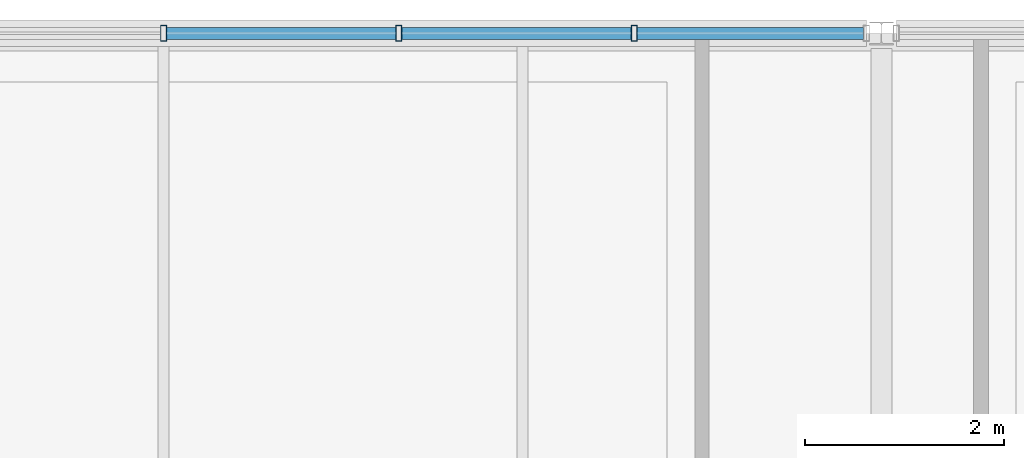
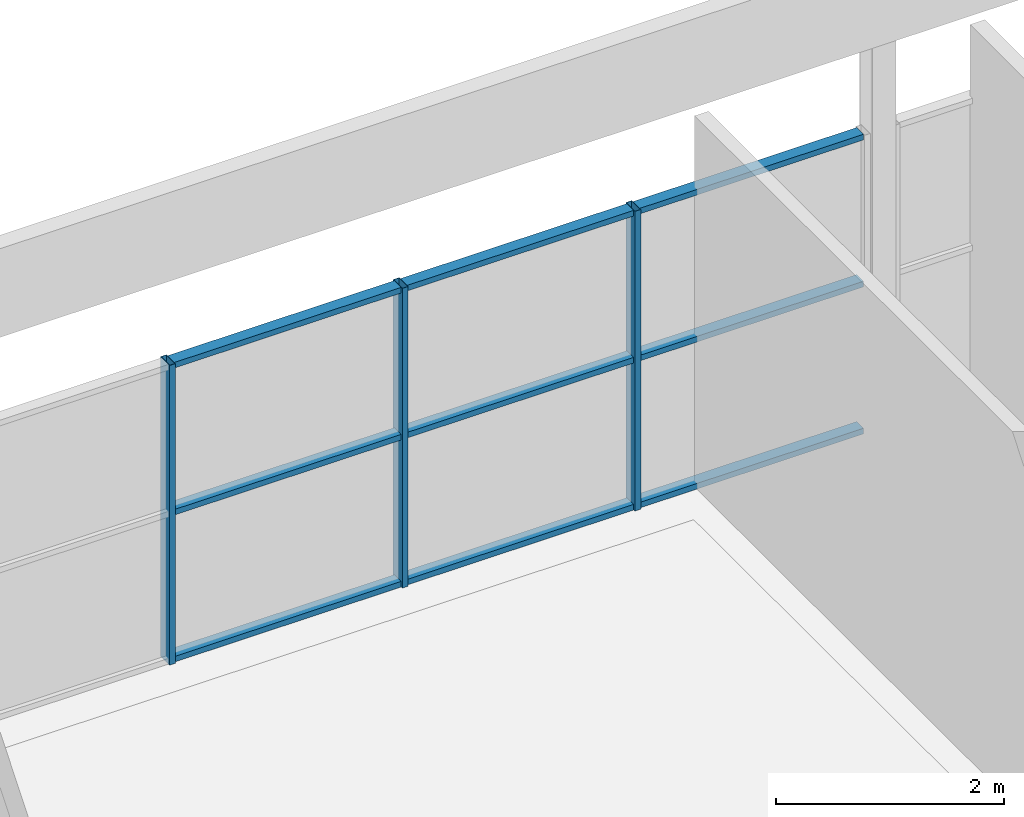
# One storey, part 23 of 43: 12 members, 1 element without a shape of its own.
"""IFC4 building model written with IfcOpenShell, lengths in metres."""

import ifcopenshell
import ifcopenshell.guid

model = None  # the IFC model being written
_history = None  # IfcOwnerHistory: only IFC2X3 demands one
_inside = {}  # id of a spatial element -> (the spatial element, [elements in it])
_under = {}  # id of a project, library or spatial element -> (it, [spatial elements below it])
_declared = {}  # id of a project -> (the project, [libraries it declares])
_typed = {}  # id of a type object -> (the type object, [elements of that type])
_made_of = {}  # id of a material, layer set ... -> (it, [elements and type objects made of it])


def new_model(schema):
    """Start an empty IFC model of exactly this schema.

    Asked for "IFC4X3", IfcOpenShell would pick the latest addendum, in which some entities
    have other attributes; the version numbers below select the first issue.
    IFC2X3 requires an IfcOwnerHistory on every rooted entity: one is made here for all.
    """
    global model, _history
    if schema == "IFC4X3":
        model = ifcopenshell.file(schema_version=(4, 3, 0, 0))
    else:
        model = ifcopenshell.file(schema=schema)
    _inside.clear()
    _under.clear()
    _declared.clear()
    _typed.clear()
    _made_of.clear()
    _history = None
    if model.schema == "IFC2X3":
        org = make("IfcOrganization", Name="unknown")
        user = make(
            "IfcPersonAndOrganization",
            ThePerson=make("IfcPerson", FamilyName="unknown"),
            TheOrganization=org,
        )
        app = make(
            "IfcApplication",
            ApplicationDeveloper=org,
            Version="unknown",
            ApplicationFullName="unknown",
            ApplicationIdentifier="unknown",
        )
        _history = make(
            "IfcOwnerHistory",
            OwningUser=user,
            OwningApplication=app,
            ChangeAction="ADDED",
            CreationDate=0,
        )
    return model


def make(cls, **values):
    """One entity of the class cls with the attributes given. An attribute that is None is left unset."""
    return model.create_entity(
        cls, **{name: value for name, value in values.items() if value is not None}
    )


def rooted(cls, **values):
    """An entity with a GlobalId (a new one), such as an element, a storey or a relation."""
    return make(cls, GlobalId=ifcopenshell.guid.new(), OwnerHistory=_history, **values)


def si_unit(unit_type, name, prefix=None):
    """IfcSIUnit, for example si_unit("LENGTHUNIT", "METRE", prefix="MILLI")."""
    return make("IfcSIUnit", UnitType=unit_type, Prefix=prefix, Name=name)


def assignment(units):
    """IfcUnitAssignment: the units of a project."""
    return None if units is None else make("IfcUnitAssignment", Units=units)


def point(xyz):
    """IfcCartesianPoint."""
    return None if xyz is None else make("IfcCartesianPoint", Coordinates=xyz)


def direction(xyz):
    """IfcDirection."""
    return None if xyz is None else make("IfcDirection", DirectionRatios=xyz)


def frame(location, z_axis=None, x_axis=None):
    """IfcAxis2Placement3D, a coordinate frame: its origin and axes. An axis left out is left unset."""
    return make(
        "IfcAxis2Placement3D",
        Location=point(location),
        Axis=direction(z_axis),
        RefDirection=direction(x_axis),
    )


def frame_2d(location, x_axis=None):
    """IfcAxis2Placement2D, a coordinate frame in the plane: its origin and x axis."""
    return make(
        "IfcAxis2Placement2D", Location=point(location), RefDirection=direction(x_axis)
    )


def origin():
    """The frame at (0, 0, 0) with its axes left unset."""
    return frame((0.0, 0.0, 0.0))


def origin_2d():
    """The frame at (0, 0) in the plane with its x axis left unset."""
    return frame_2d((0.0, 0.0))


def place(relative_to, where):
    """IfcLocalPlacement: puts the frame where relative to a parent placement (None: the world)."""
    return make(
        "IfcLocalPlacement", PlacementRelTo=relative_to, RelativePlacement=where
    )


def context(
    kind, dimensions, precision=None, world=None, true_north=None, identifier=None
):
    """IfcGeometricRepresentationContext, for example the 3D "Model" context."""
    return make(
        "IfcGeometricRepresentationContext",
        ContextIdentifier=identifier,
        ContextType=kind,
        CoordinateSpaceDimension=dimensions,
        Precision=precision,
        WorldCoordinateSystem=world,
        TrueNorth=true_north,
    )


def subcontext(parent, identifier, kind, view, scale=None):
    """IfcGeometricRepresentationSubContext, for example "Body" below "Model"."""
    return make(
        "IfcGeometricRepresentationSubContext",
        ContextIdentifier=identifier,
        ContextType=kind,
        ParentContext=parent,
        TargetScale=scale,
        TargetView=view,
    )


def project(units=None, contexts=None):
    """IfcProject with its units and contexts."""
    return rooted(
        "IfcProject",
        Name="project",
        RepresentationContexts=contexts,
        UnitsInContext=assignment(units),
    )


def spatial(cls, under=None, at=None, **own):
    """A site, building, storey or space (cls), placed at a placement, below another one or the project."""
    s = rooted(cls, ObjectPlacement=at, **own)
    if under is not None:
        _under.setdefault(under.id(), (under, []))[1].append(s)
    return s


def profile(cls, at=None, kind="AREA", **sizes):
    """A parametric profile (cls). Its sizes go by their IFC names, for example OverallWidth=200.0."""
    return make(cls, ProfileType=kind, Position=at, **sizes)


def hollow_rectangle(**sizes):
    """IfcRectangleHollowProfileDef."""
    return profile("IfcRectangleHollowProfileDef", **sizes)


def extrude(swept, where, along, depth):
    """IfcExtrudedAreaSolid: the profile swept, set in the frame where, extruded along a direction by depth."""
    return make(
        "IfcExtrudedAreaSolid",
        SweptArea=swept,
        Position=where,
        ExtrudedDirection=direction(along),
        Depth=depth,
    )


def shape(context_of_items, identifier, shape_type, items):
    """IfcShapeRepresentation: the items that make up one representation, for example the "Body"."""
    return make(
        "IfcShapeRepresentation",
        ContextOfItems=context_of_items,
        RepresentationIdentifier=identifier,
        RepresentationType=shape_type,
        Items=items,
    )


def material(Name=None, Category=None):
    """IfcMaterial."""
    return make("IfcMaterial", Name=Name, Category=Category)


def material_profile(
    of_material, cross_section, Name=None, Category=None, Priority=None
):
    """IfcMaterialProfile: a cross section and its material."""
    return make(
        "IfcMaterialProfile",
        Name=Name,
        Material=of_material,
        Profile=cross_section,
        Priority=Priority,
        Category=Category,
    )


def profile_set(profiles, Name=None, composite=None):
    """IfcMaterialProfileSet."""
    return make(
        "IfcMaterialProfileSet",
        Name=Name,
        MaterialProfiles=profiles,
        CompositeProfile=composite,
    )


def made_of(thing, what):
    """Note that an element or type object is made of a material, layer set ...; save() writes the relation."""
    if what is not None:
        _made_of.setdefault(what.id(), (what, []))[1].append(thing)
    return thing


def type_object(cls, material=None, **own):
    """A type object (cls), such as IfcWallType, which elements share."""
    return made_of(rooted(cls, **own), material)


def element(
    cls,
    number,
    at=None,
    inside=None,
    cuts=None,
    type_object=None,
    material=None,
    context=None,
    identifier="Body",
    shape_type=None,
    held_by="IfcProductDefinitionShape",
    body=None,
    shapes=None,
    **own,
):
    """One element of the class cls, such as IfcWall. Its Tag is "e" and its number.

    at: its placement. inside: the storey or other place that contains it. cuts: it is an
    opening in that element (IfcRelVoidsElement). A single representation is given by context,
    identifier, shape_type and body (its items); several are given by shapes. held_by: the class
    of the entity that holds the representations. save() writes the other relations.
    """
    e = rooted(cls, Tag="e%d" % number, ObjectPlacement=at, **own)
    if body is not None:
        shapes = [shape(context, identifier, shape_type, body)]
    if shapes is not None:
        e.Representation = make(held_by, Representations=shapes)
    if inside is not None:
        _inside.setdefault(inside.id(), (inside, []))[1].append(e)
    if cuts is not None:
        rooted(
            "IfcRelVoidsElement", RelatingBuildingElement=cuts, RelatedOpeningElement=e
        )
    if type_object is not None:
        _typed.setdefault(type_object.id(), (type_object, []))[1].append(e)
    return made_of(e, material)


def aggregate(whole, parts):
    """IfcRelAggregates: a whole, such as a stair, and the parts it consists of."""
    return rooted("IfcRelAggregates", RelatingObject=whole, RelatedObjects=parts)


def save(model, path):
    """Write the relations noted so far, then the file.

    IfcRelAggregates (storeys below a building ...), IfcRelContainedInSpatialStructure (elements
    in a storey), IfcRelDefinesByType, IfcRelAssociatesMaterial and IfcRelDeclares: one each for
    every whole, place, type object, material and project.
    """
    for whole, parts in _under.values():
        aggregate(whole, parts)
    for where, things in _inside.values():
        rooted(
            "IfcRelContainedInSpatialStructure",
            RelatedElements=things,
            RelatingStructure=where,
        )
    for kind, things in _typed.values():
        rooted("IfcRelDefinesByType", RelatedObjects=things, RelatingType=kind)
    for what, things in _made_of.values():
        rooted("IfcRelAssociatesMaterial", RelatedObjects=things, RelatingMaterial=what)
    for by, libraries in _declared.values():
        rooted("IfcRelDeclares", RelatingContext=by, RelatedDefinitions=libraries)
    model.write(path)


model = new_model("IFC4")

# Units and contexts
model_context = context("Model", 3, precision=1e-05, world=origin(), true_north=direction((0.0, 1.0)))
body_context = subcontext(model_context, "Body", "Model", "MODEL_VIEW")
ifc_project = project(units=[si_unit("LENGTHUNIT", "METRE"), si_unit("AREAUNIT", "SQUARE_METRE"), si_unit("VOLUMEUNIT", "CUBIC_METRE"), si_unit("PLANEANGLEUNIT", "RADIAN"), si_unit("MASSUNIT", "GRAM", prefix="KILO"), si_unit("THERMODYNAMICTEMPERATUREUNIT", "KELVIN")], contexts=[model_context])

# Site, building, storey
site_placement = place(None, origin())
site = spatial("IfcSite", under=ifc_project, at=site_placement, CompositionType="ELEMENT")
building_placement = place(site_placement, origin())
building = spatial("IfcBuilding", under=site, at=building_placement, Name="Nduvali Passage Aquatics Centre", CompositionType="ELEMENT")
storey_placement = place(building_placement, frame((0.0, 0.0, 17.39990234375)))
storey = spatial("IfcBuildingStorey", under=building, at=storey_placement, Name="L04", CompositionType="ELEMENT", Elevation=17.39990234375)

# Curtain wall, members
ifc_material = material(Name="Aluminium EN AW-6063 T6", Category="aluminium")
curtain_wall_type = type_object("IfcCurtainWallType", Name="ENV-CW-WELL", PredefinedType="NOTDEFINED", material=ifc_material)
curtain_wall_placement = place(storey_placement, origin())
curtain_wall = element("IfcCurtainWall", 1, at=curtain_wall_placement, inside=storey, type_object=curtain_wall_type, Name="L04 North Avenue Recovery Lounge CW 111", PredefinedType="NOTDEFINED")
ifc_material_profile_1 = material_profile(ifc_material, hollow_rectangle(XDim=0.06005859375, YDim=0.159912109375, WallThickness=0.00390625, at=origin_2d()), Name="ALU MULLION 60x160x4")
ifc_profile_set_1 = profile_set([ifc_material_profile_1], Name="Aluminium EN AW-6063 T6")
member_type_1 = type_object("IfcMemberType", Name="ENV-MEM-MUL60", PredefinedType="MULLION", material=ifc_profile_set_1)
member_1_placement = place(storey_placement, frame((90.0, 117.60009765625, 0.0), z_axis=(0.0, 0.0, 1.0), x_axis=(1.0, 0.0, 0.0)))
member_1 = element("IfcMember", 2, at=member_1_placement, type_object=member_type_1, Name="North Avenue Recovery Lounge CW Mullion 4", PredefinedType="MULLION", context=body_context, shape_type="SweptSolid", body=[
    extrude(hollow_rectangle(XDim=0.06005859375, YDim=0.159912109375, WallThickness=0.00390625, at=origin_2d()), origin(), (0.0, 0.0, 1.0), 3.2138671875),
])
member_2_placement = place(storey_placement, frame((92.360107421875, 117.60009765625, 0.0), z_axis=(0.0, 0.0, 1.0), x_axis=(1.0, 0.0, 0.0)))
member_2 = element("IfcMember", 3, at=member_2_placement, type_object=member_type_1, Name="North Avenue Recovery Lounge CW Mullion 5", PredefinedType="MULLION", context=body_context, shape_type="SweptSolid", body=[
    extrude(hollow_rectangle(XDim=0.06005859375, YDim=0.159912109375, WallThickness=0.00390625, at=origin_2d()), origin(), (0.0, 0.0, 1.0), 3.2138671875),
])
member_3_placement = place(storey_placement, frame((94.719970703125, 117.60009765625, 0.0), z_axis=(0.0, 0.0, 1.0), x_axis=(1.0, 0.0, 0.0)))
member_3 = element("IfcMember", 4, at=member_3_placement, type_object=member_type_1, Name="North Avenue Recovery Lounge CW Mullion 6", PredefinedType="MULLION", context=body_context, shape_type="SweptSolid", body=[
    extrude(hollow_rectangle(XDim=0.06005859375, YDim=0.159912109375, WallThickness=0.00390625, at=origin_2d()), origin(), (0.0, 0.0, 1.0), 3.2138671875),
])
ifc_material_profile_2 = material_profile(ifc_material, hollow_rectangle(XDim=0.1201171875, YDim=0.06005859375, WallThickness=0.00390625, at=origin_2d()), Name="ALU TRANSOM 120x60x4")
ifc_profile_set_2 = profile_set([ifc_material_profile_2], Name="Aluminium EN AW-6063 T6")
member_type_2 = type_object("IfcMemberType", Name="ENV-MEM-TRN60", PredefinedType="USERDEFINED", material=ifc_profile_set_2)
member_4_placement = place(storey_placement, frame((90.030029296875, 117.60009765625, 0.030029296875), z_axis=(1.0, 0.0, 0.0), x_axis=(0.0, 1.0, 0.0)))
member_4 = element("IfcMember", 5, at=member_4_placement, type_object=member_type_2, Name="North Avenue Recovery Lounge CW Transom B4-R0", ObjectType="TRANSOM", PredefinedType="USERDEFINED", context=body_context, shape_type="SweptSolid", body=[
    extrude(hollow_rectangle(XDim=0.1201171875, YDim=0.06005859375, WallThickness=0.00390625, at=origin_2d()), origin(), (0.0, 0.0, 1.0), 2.300048828125),
])
member_5_placement = place(storey_placement, frame((90.030029296875, 117.60009765625, 1.60693359375), z_axis=(1.0, 0.0, 0.0), x_axis=(0.0, 1.0, 0.0)))
member_5 = element("IfcMember", 6, at=member_5_placement, type_object=member_type_2, Name="North Avenue Recovery Lounge CW Transom B4-R1", ObjectType="TRANSOM", PredefinedType="USERDEFINED", context=body_context, shape_type="SweptSolid", body=[
    extrude(hollow_rectangle(XDim=0.1201171875, YDim=0.06005859375, WallThickness=0.00390625, at=origin_2d()), origin(), (0.0, 0.0, 1.0), 2.300048828125),
])
member_6_placement = place(storey_placement, frame((90.030029296875, 117.60009765625, 3.183837890625), z_axis=(1.0, 0.0, 0.0), x_axis=(0.0, 1.0, 0.0)))
member_6 = element("IfcMember", 7, at=member_6_placement, type_object=member_type_2, Name="North Avenue Recovery Lounge CW Transom B4-R2", ObjectType="TRANSOM", PredefinedType="USERDEFINED", context=body_context, shape_type="SweptSolid", body=[
    extrude(hollow_rectangle(XDim=0.1201171875, YDim=0.06005859375, WallThickness=0.00390625, at=origin_2d()), origin(), (0.0, 0.0, 1.0), 2.300048828125),
])
member_7_placement = place(storey_placement, frame((92.389892578125, 117.60009765625, 0.030029296875), z_axis=(1.0, 0.0, 0.0), x_axis=(0.0, 1.0, 0.0)))
member_7 = element("IfcMember", 8, at=member_7_placement, type_object=member_type_2, Name="North Avenue Recovery Lounge CW Transom B5-R0", ObjectType="TRANSOM", PredefinedType="USERDEFINED", context=body_context, shape_type="SweptSolid", body=[
    extrude(hollow_rectangle(XDim=0.1201171875, YDim=0.06005859375, WallThickness=0.00390625, at=origin_2d()), origin(), (0.0, 0.0, 1.0), 2.300048828125),
])
member_8_placement = place(storey_placement, frame((92.389892578125, 117.60009765625, 1.60693359375), z_axis=(1.0, 0.0, 0.0), x_axis=(0.0, 1.0, 0.0)))
member_8 = element("IfcMember", 9, at=member_8_placement, type_object=member_type_2, Name="North Avenue Recovery Lounge CW Transom B5-R1", ObjectType="TRANSOM", PredefinedType="USERDEFINED", context=body_context, shape_type="SweptSolid", body=[
    extrude(hollow_rectangle(XDim=0.1201171875, YDim=0.06005859375, WallThickness=0.00390625, at=origin_2d()), origin(), (0.0, 0.0, 1.0), 2.300048828125),
])
member_9_placement = place(storey_placement, frame((92.389892578125, 117.60009765625, 3.183837890625), z_axis=(1.0, 0.0, 0.0), x_axis=(0.0, 1.0, 0.0)))
member_9 = element("IfcMember", 10, at=member_9_placement, type_object=member_type_2, Name="North Avenue Recovery Lounge CW Transom B5-R2", ObjectType="TRANSOM", PredefinedType="USERDEFINED", context=body_context, shape_type="SweptSolid", body=[
    extrude(hollow_rectangle(XDim=0.1201171875, YDim=0.06005859375, WallThickness=0.00390625, at=origin_2d()), origin(), (0.0, 0.0, 1.0), 2.300048828125),
])
member_10_placement = place(storey_placement, frame((94.75, 117.60009765625, 0.030029296875), z_axis=(1.0, 0.0, 0.0), x_axis=(0.0, 1.0, 0.0)))
member_10 = element("IfcMember", 11, at=member_10_placement, type_object=member_type_2, Name="North Avenue Recovery Lounge CW Transom B6-R0", ObjectType="TRANSOM", PredefinedType="USERDEFINED", context=body_context, shape_type="SweptSolid", body=[
    extrude(hollow_rectangle(XDim=0.1201171875, YDim=0.06005859375, WallThickness=0.00390625, at=origin_2d()), origin(), (0.0, 0.0, 1.0), 2.27001953125),
])
member_11_placement = place(storey_placement, frame((94.75, 117.60009765625, 1.60693359375), z_axis=(1.0, 0.0, 0.0), x_axis=(0.0, 1.0, 0.0)))
member_11 = element("IfcMember", 12, at=member_11_placement, type_object=member_type_2, Name="North Avenue Recovery Lounge CW Transom B6-R1", ObjectType="TRANSOM", PredefinedType="USERDEFINED", context=body_context, shape_type="SweptSolid", body=[
    extrude(hollow_rectangle(XDim=0.1201171875, YDim=0.06005859375, WallThickness=0.00390625, at=origin_2d()), origin(), (0.0, 0.0, 1.0), 2.27001953125),
])
member_12_placement = place(storey_placement, frame((94.75, 117.60009765625, 3.183837890625), z_axis=(1.0, 0.0, 0.0), x_axis=(0.0, 1.0, 0.0)))
member_12 = element("IfcMember", 13, at=member_12_placement, type_object=member_type_2, Name="North Avenue Recovery Lounge CW Transom B6-R2", ObjectType="TRANSOM", PredefinedType="USERDEFINED", context=body_context, shape_type="SweptSolid", body=[
    extrude(hollow_rectangle(XDim=0.1201171875, YDim=0.06005859375, WallThickness=0.00390625, at=origin_2d()), origin(), (0.0, 0.0, 1.0), 2.27001953125),
])
aggregate(curtain_wall, [member_1, member_2, member_3, member_4, member_5, member_6, member_7, member_8, member_9, member_10, member_11, member_12])

save(model, "model.ifc")
